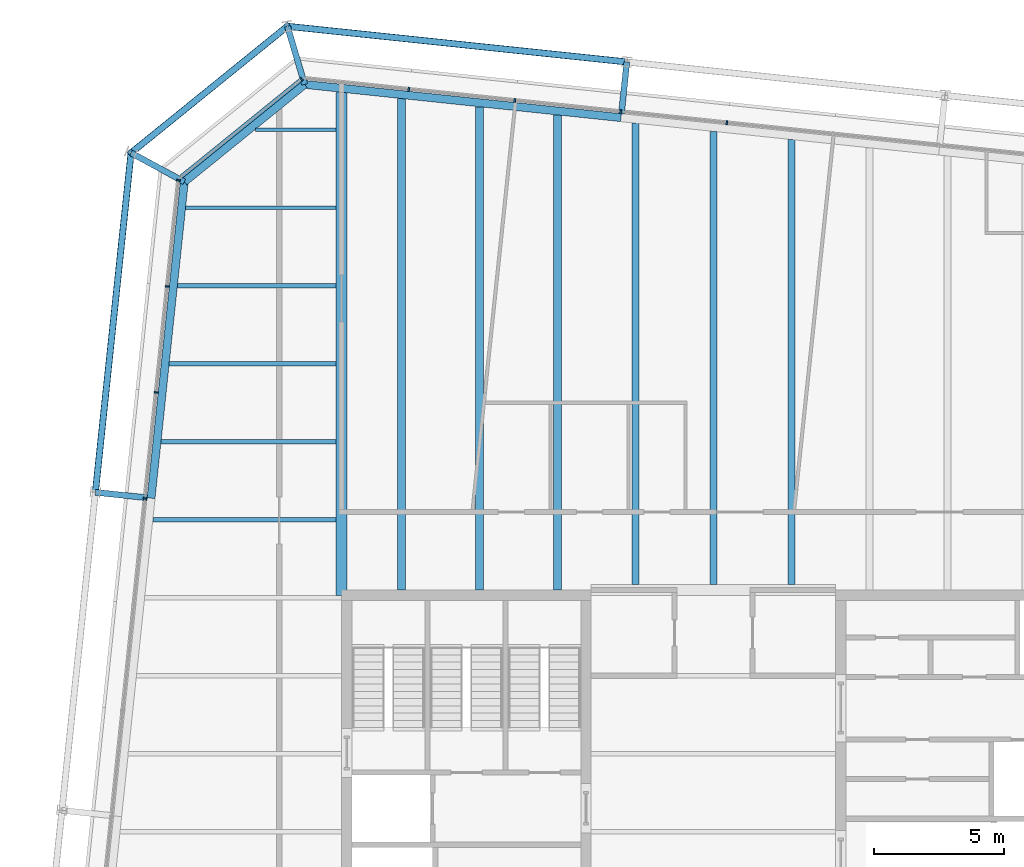
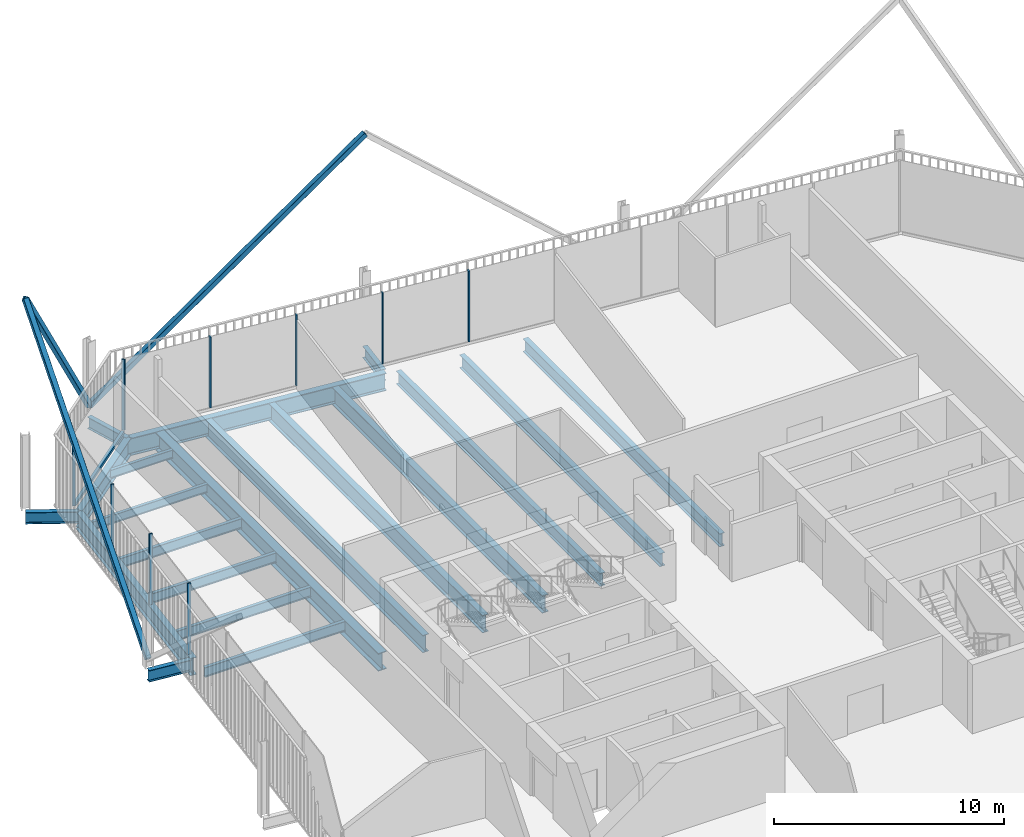
# One storey, part 12 of 21: 20 beams, 13 members, 3 elements without a shape of their own.
"""IFC4 building model written with IfcOpenShell, lengths in metres."""

import ifcopenshell
import ifcopenshell.guid

model = None  # the IFC model being written
_history = None  # IfcOwnerHistory: only IFC2X3 demands one
_inside = {}  # id of a spatial element -> (the spatial element, [elements in it])
_under = {}  # id of a project, library or spatial element -> (it, [spatial elements below it])
_declared = {}  # id of a project -> (the project, [libraries it declares])
_typed = {}  # id of a type object -> (the type object, [elements of that type])
_made_of = {}  # id of a material, layer set ... -> (it, [elements and type objects made of it])


def new_model(schema):
    """Start an empty IFC model of exactly this schema.

    Asked for "IFC4X3", IfcOpenShell would pick the latest addendum, in which some entities
    have other attributes; the version numbers below select the first issue.
    IFC2X3 requires an IfcOwnerHistory on every rooted entity: one is made here for all.
    """
    global model, _history
    if schema == "IFC4X3":
        model = ifcopenshell.file(schema_version=(4, 3, 0, 0))
    else:
        model = ifcopenshell.file(schema=schema)
    _inside.clear()
    _under.clear()
    _declared.clear()
    _typed.clear()
    _made_of.clear()
    _history = None
    if model.schema == "IFC2X3":
        org = make("IfcOrganization", Name="unknown")
        user = make(
            "IfcPersonAndOrganization",
            ThePerson=make("IfcPerson", FamilyName="unknown"),
            TheOrganization=org,
        )
        app = make(
            "IfcApplication",
            ApplicationDeveloper=org,
            Version="unknown",
            ApplicationFullName="unknown",
            ApplicationIdentifier="unknown",
        )
        _history = make(
            "IfcOwnerHistory",
            OwningUser=user,
            OwningApplication=app,
            ChangeAction="ADDED",
            CreationDate=0,
        )
    return model


def make(cls, **values):
    """One entity of the class cls with the attributes given. An attribute that is None is left unset."""
    return model.create_entity(
        cls, **{name: value for name, value in values.items() if value is not None}
    )


def rooted(cls, **values):
    """An entity with a GlobalId (a new one), such as an element, a storey or a relation."""
    return make(cls, GlobalId=ifcopenshell.guid.new(), OwnerHistory=_history, **values)


def si_unit(unit_type, name, prefix=None):
    """IfcSIUnit, for example si_unit("LENGTHUNIT", "METRE", prefix="MILLI")."""
    return make("IfcSIUnit", UnitType=unit_type, Prefix=prefix, Name=name)


def assignment(units):
    """IfcUnitAssignment: the units of a project."""
    return None if units is None else make("IfcUnitAssignment", Units=units)


def point(xyz):
    """IfcCartesianPoint."""
    return None if xyz is None else make("IfcCartesianPoint", Coordinates=xyz)


def direction(xyz):
    """IfcDirection."""
    return None if xyz is None else make("IfcDirection", DirectionRatios=xyz)


def frame(location, z_axis=None, x_axis=None):
    """IfcAxis2Placement3D, a coordinate frame: its origin and axes. An axis left out is left unset."""
    return make(
        "IfcAxis2Placement3D",
        Location=point(location),
        Axis=direction(z_axis),
        RefDirection=direction(x_axis),
    )


def frame_2d(location, x_axis=None):
    """IfcAxis2Placement2D, a coordinate frame in the plane: its origin and x axis."""
    return make(
        "IfcAxis2Placement2D", Location=point(location), RefDirection=direction(x_axis)
    )


def origin():
    """The frame at (0, 0, 0) with its axes left unset."""
    return frame((0.0, 0.0, 0.0))


def origin_2d():
    """The frame at (0, 0) in the plane with its x axis left unset."""
    return frame_2d((0.0, 0.0))


def place(relative_to, where):
    """IfcLocalPlacement: puts the frame where relative to a parent placement (None: the world)."""
    return make(
        "IfcLocalPlacement", PlacementRelTo=relative_to, RelativePlacement=where
    )


def context(
    kind, dimensions, precision=None, world=None, true_north=None, identifier=None
):
    """IfcGeometricRepresentationContext, for example the 3D "Model" context."""
    return make(
        "IfcGeometricRepresentationContext",
        ContextIdentifier=identifier,
        ContextType=kind,
        CoordinateSpaceDimension=dimensions,
        Precision=precision,
        WorldCoordinateSystem=world,
        TrueNorth=true_north,
    )


def subcontext(parent, identifier, kind, view, scale=None):
    """IfcGeometricRepresentationSubContext, for example "Body" below "Model"."""
    return make(
        "IfcGeometricRepresentationSubContext",
        ContextIdentifier=identifier,
        ContextType=kind,
        ParentContext=parent,
        TargetScale=scale,
        TargetView=view,
    )


def project(units=None, contexts=None):
    """IfcProject with its units and contexts."""
    return rooted(
        "IfcProject",
        Name="project",
        RepresentationContexts=contexts,
        UnitsInContext=assignment(units),
    )


def spatial(cls, under=None, at=None, **own):
    """A site, building, storey or space (cls), placed at a placement, below another one or the project."""
    s = rooted(cls, ObjectPlacement=at, **own)
    if under is not None:
        _under.setdefault(under.id(), (under, []))[1].append(s)
    return s


def profile(cls, at=None, kind="AREA", **sizes):
    """A parametric profile (cls). Its sizes go by their IFC names, for example OverallWidth=200.0."""
    return make(cls, ProfileType=kind, Position=at, **sizes)


def rectangle(**sizes):
    """IfcRectangleProfileDef."""
    return profile("IfcRectangleProfileDef", **sizes)


def hollow_rectangle(**sizes):
    """IfcRectangleHollowProfileDef."""
    return profile("IfcRectangleHollowProfileDef", **sizes)


def i_section(**sizes):
    """IfcIShapeProfileDef."""
    return profile("IfcIShapeProfileDef", **sizes)


def extrude(swept, where, along, depth):
    """IfcExtrudedAreaSolid: the profile swept, set in the frame where, extruded along a direction by depth."""
    return make(
        "IfcExtrudedAreaSolid",
        SweptArea=swept,
        Position=where,
        ExtrudedDirection=direction(along),
        Depth=depth,
    )


def shape(context_of_items, identifier, shape_type, items):
    """IfcShapeRepresentation: the items that make up one representation, for example the "Body"."""
    return make(
        "IfcShapeRepresentation",
        ContextOfItems=context_of_items,
        RepresentationIdentifier=identifier,
        RepresentationType=shape_type,
        Items=items,
    )


def material(Name=None, Category=None):
    """IfcMaterial."""
    return make("IfcMaterial", Name=Name, Category=Category)


def layer(
    of_material, thickness, ventilated=None, Name=None, Category=None, Priority=None
):
    """IfcMaterialLayer: one layer of a wall or slab, of a material (None: an air gap)."""
    return make(
        "IfcMaterialLayer",
        Material=of_material,
        LayerThickness=thickness,
        IsVentilated=ventilated,
        Name=Name,
        Category=Category,
        Priority=Priority,
    )


def layer_set(layers, Name=None):
    """IfcMaterialLayerSet."""
    return make("IfcMaterialLayerSet", MaterialLayers=layers, LayerSetName=Name)


def material_profile(
    of_material, cross_section, Name=None, Category=None, Priority=None
):
    """IfcMaterialProfile: a cross section and its material."""
    return make(
        "IfcMaterialProfile",
        Name=Name,
        Material=of_material,
        Profile=cross_section,
        Priority=Priority,
        Category=Category,
    )


def profile_set(profiles, Name=None, composite=None):
    """IfcMaterialProfileSet."""
    return make(
        "IfcMaterialProfileSet",
        Name=Name,
        MaterialProfiles=profiles,
        CompositeProfile=composite,
    )


def made_of(thing, what):
    """Note that an element or type object is made of a material, layer set ...; save() writes the relation."""
    if what is not None:
        _made_of.setdefault(what.id(), (what, []))[1].append(thing)
    return thing


def type_object(cls, material=None, **own):
    """A type object (cls), such as IfcWallType, which elements share."""
    return made_of(rooted(cls, **own), material)


def element(
    cls,
    number,
    at=None,
    inside=None,
    cuts=None,
    type_object=None,
    material=None,
    context=None,
    identifier="Body",
    shape_type=None,
    held_by="IfcProductDefinitionShape",
    body=None,
    shapes=None,
    **own,
):
    """One element of the class cls, such as IfcWall. Its Tag is "e" and its number.

    at: its placement. inside: the storey or other place that contains it. cuts: it is an
    opening in that element (IfcRelVoidsElement). A single representation is given by context,
    identifier, shape_type and body (its items); several are given by shapes. held_by: the class
    of the entity that holds the representations. save() writes the other relations.
    """
    e = rooted(cls, Tag="e%d" % number, ObjectPlacement=at, **own)
    if body is not None:
        shapes = [shape(context, identifier, shape_type, body)]
    if shapes is not None:
        e.Representation = make(held_by, Representations=shapes)
    if inside is not None:
        _inside.setdefault(inside.id(), (inside, []))[1].append(e)
    if cuts is not None:
        rooted(
            "IfcRelVoidsElement", RelatingBuildingElement=cuts, RelatedOpeningElement=e
        )
    if type_object is not None:
        _typed.setdefault(type_object.id(), (type_object, []))[1].append(e)
    return made_of(e, material)


def aggregate(whole, parts):
    """IfcRelAggregates: a whole, such as a stair, and the parts it consists of."""
    return rooted("IfcRelAggregates", RelatingObject=whole, RelatedObjects=parts)


def save(model, path):
    """Write the relations noted so far, then the file.

    IfcRelAggregates (storeys below a building ...), IfcRelContainedInSpatialStructure (elements
    in a storey), IfcRelDefinesByType, IfcRelAssociatesMaterial and IfcRelDeclares: one each for
    every whole, place, type object, material and project.
    """
    for whole, parts in _under.values():
        aggregate(whole, parts)
    for where, things in _inside.values():
        rooted(
            "IfcRelContainedInSpatialStructure",
            RelatedElements=things,
            RelatingStructure=where,
        )
    for kind, things in _typed.values():
        rooted("IfcRelDefinesByType", RelatedObjects=things, RelatingType=kind)
    for what, things in _made_of.values():
        rooted("IfcRelAssociatesMaterial", RelatedObjects=things, RelatingMaterial=what)
    for by, libraries in _declared.values():
        rooted("IfcRelDeclares", RelatingContext=by, RelatedDefinitions=libraries)
    model.write(path)


model = new_model("IFC4")

# Units and contexts
model_context = context("Model", 3, precision=1e-05, world=origin(), true_north=direction((0.0, 1.0)))
body_context = subcontext(model_context, "Body", "Model", "MODEL_VIEW")
ifc_project = project(units=[si_unit("LENGTHUNIT", "METRE"), si_unit("AREAUNIT", "SQUARE_METRE"), si_unit("VOLUMEUNIT", "CUBIC_METRE"), si_unit("PLANEANGLEUNIT", "RADIAN"), si_unit("MASSUNIT", "GRAM", prefix="KILO")], contexts=[model_context])

# Site, building, storey
site_placement = place(None, origin())
site = spatial("IfcSite", under=ifc_project, at=site_placement, CompositionType="ELEMENT")
building_placement = place(site_placement, origin())
building = spatial("IfcBuilding", under=site, at=building_placement, Name="Millrace Tower", CompositionType="ELEMENT")
storey_placement = place(building_placement, frame((0.0, 0.0, 307.199951171875)))
storey = spatial("IfcBuildingStorey", under=building, at=storey_placement, Name="L71", CompositionType="ELEMENT", Elevation=307.199951171875)

# Curtain wall, members
ifc_material_1 = material(Name="Aluminium and glass", Category="aluminium")
ifc_layer = layer(ifc_material_1, 0.14990234375)
ifc_layer_set = layer_set([ifc_layer], Name="Aluminium and glass")
curtain_wall_type = type_object("IfcCurtainWallType", Name="CW-1 office vision curtain wall", PredefinedType="NOTDEFINED", material=ifc_layer_set)
placement = place(storey_placement, origin())
curtain_wall_1 = element("IfcCurtainWall", 1, at=placement, inside=storey, type_object=curtain_wall_type, Name="Curtain wall E-F06 L71", PredefinedType="NOTDEFINED")
ifc_material_2 = material(Name="Aluminium", Category="aluminium")
ifc_material_profile_1 = material_profile(ifc_material_2, rectangle(XDim=0.06494140625, YDim=0.14990234375, at=origin_2d()))
ifc_profile_set_1 = profile_set([ifc_material_profile_1], Name="Aluminium")
member_type_1 = type_object("IfcMemberType", Name="CW-1 office vision curtain wall mullion", PredefinedType="MULLION", material=ifc_profile_set_1)
member_1_placement = place(storey_placement, frame((0.514892578125, 27.267578125, 0.14013671875), z_axis=(0.0, 0.0, 1.0), x_axis=(-0.994521896217, 0.104528455196, 0.0)))
member_1 = element("IfcMember", 2, at=member_1_placement, type_object=member_type_1, Name="CW1 mullion E-F06.6", PredefinedType="MULLION", context=body_context, shape_type="SweptSolid", body=[
    extrude(rectangle(XDim=0.06494140625, YDim=0.14990234375, at=origin_2d()), origin(), (0.0, 0.0, 1.0), 3.760009765625),
])
member_2_placement = place(storey_placement, frame((-3.562744140625, 27.6962890625, 0.14013671875), z_axis=(0.0, 0.0, 1.0), x_axis=(-0.994521896217, 0.104528455196, 0.0)))
member_2 = element("IfcMember", 3, at=member_2_placement, type_object=member_type_1, Name="CW1 mullion E-F06.7", PredefinedType="MULLION", context=body_context, shape_type="SweptSolid", body=[
    extrude(rectangle(XDim=0.06494140625, YDim=0.14990234375, at=origin_2d()), origin(), (0.0, 0.0, 1.0), 3.760009765625),
])
member_3_placement = place(storey_placement, frame((-7.640380859375, 28.124755859375, 0.14013671875), z_axis=(0.0, 0.0, 1.0), x_axis=(-0.994521896217, 0.104528455196, 0.0)))
member_3 = element("IfcMember", 4, at=member_3_placement, type_object=member_type_1, Name="CW1 mullion E-F06.8", PredefinedType="MULLION", context=body_context, shape_type="SweptSolid", body=[
    extrude(rectangle(XDim=0.06494140625, YDim=0.14990234375, at=origin_2d()), origin(), (0.0, 0.0, 1.0), 3.760009765625),
])
member_4_placement = place(storey_placement, frame((-11.7177734375, 28.55322265625, 0.14013671875), z_axis=(0.0, 0.0, 1.0), x_axis=(-0.994521896217, 0.104528455196, 0.0)))
member_4 = element("IfcMember", 5, at=member_4_placement, type_object=member_type_1, Name="CW1 mullion E-F06.9", PredefinedType="MULLION", context=body_context, shape_type="SweptSolid", body=[
    extrude(rectangle(XDim=0.06494140625, YDim=0.14990234375, at=origin_2d()), origin(), (0.0, 0.0, 1.0), 3.760009765625),
])
aggregate(curtain_wall_1, [member_1, member_2, member_3, member_4])

# Curtain wall, member
curtain_wall_2 = element("IfcCurtainWall", 6, at=placement, inside=storey, type_object=curtain_wall_type, Name="Curtain wall E-F07 L71", PredefinedType="NOTDEFINED")
member_5_placement = place(storey_placement, frame((-15.84326171875, 28.941650390625, 0.14013671875), z_axis=(0.0, 0.0, 1.0), x_axis=(-0.777146052237, -0.629320278945, 0.0)))
member_5 = element("IfcMember", 7, at=member_5_placement, type_object=member_type_1, Name="CW1 mullion E-F07.1", PredefinedType="MULLION", context=body_context, shape_type="SweptSolid", body=[
    extrude(rectangle(XDim=0.06494140625, YDim=0.14990234375, at=origin_2d()), origin(), (0.0, 0.0, 1.0), 3.760009765625),
])

# Curtain wall, members
curtain_wall_3 = element("IfcCurtainWall", 8, at=placement, inside=storey, type_object=curtain_wall_type, Name="Curtain wall E-F08 L71", PredefinedType="NOTDEFINED")
member_6_placement = place(storey_placement, frame((-20.57470703125, 25.052490234375, 0.14013671875), z_axis=(0.0, 0.0, 1.0), x_axis=(-0.104528455196, -0.994521896217, 0.0)))
member_6 = element("IfcMember", 9, at=member_6_placement, type_object=member_type_1, Name="CW1 mullion E-F08.1", PredefinedType="MULLION", context=body_context, shape_type="SweptSolid", body=[
    extrude(rectangle(XDim=0.06494140625, YDim=0.14990234375, at=origin_2d()), origin(), (0.0, 0.0, 1.0), 3.760009765625),
])
member_7_placement = place(storey_placement, frame((-21.00341796875, 20.974853515625, 0.14013671875), z_axis=(0.0, 0.0, 1.0), x_axis=(-0.104528455196, -0.994521896217, 0.0)))
member_7 = element("IfcMember", 10, at=member_7_placement, type_object=member_type_1, Name="CW1 mullion E-F08.2", PredefinedType="MULLION", context=body_context, shape_type="SweptSolid", body=[
    extrude(rectangle(XDim=0.06494140625, YDim=0.14990234375, at=origin_2d()), origin(), (0.0, 0.0, 1.0), 3.760009765625),
])
member_8_placement = place(storey_placement, frame((-21.431884765625, 16.8974609375, 0.14013671875), z_axis=(0.0, 0.0, 1.0), x_axis=(-0.104528455196, -0.994521896217, 0.0)))
member_8 = element("IfcMember", 11, at=member_8_placement, type_object=member_type_1, Name="CW1 mullion E-F08.3", PredefinedType="MULLION", context=body_context, shape_type="SweptSolid", body=[
    extrude(rectangle(XDim=0.06494140625, YDim=0.14990234375, at=origin_2d()), origin(), (0.0, 0.0, 1.0), 3.760009765625),
])
member_9_placement = place(storey_placement, frame((-21.860595703125, 12.81982421875, 0.14013671875), z_axis=(0.0, 0.0, 1.0), x_axis=(-0.104528455196, -0.994521896217, 0.0)))
member_9 = element("IfcMember", 12, at=member_9_placement, type_object=member_type_1, Name="CW1 mullion E-F08.4", PredefinedType="MULLION", context=body_context, shape_type="SweptSolid", body=[
    extrude(rectangle(XDim=0.06494140625, YDim=0.14990234375, at=origin_2d()), origin(), (0.0, 0.0, 1.0), 3.760009765625),
])
aggregate(curtain_wall_3, [member_6, member_7, member_8, member_9])

# Member
ifc_material_3 = material(Name="Aluminium", Category="aluminium")
ifc_material_profile_2 = material_profile(ifc_material_3, rectangle(XDim=0.14990234375, YDim=0.139892578125, at=origin_2d()))
ifc_profile_set_2 = profile_set([ifc_material_profile_2], Name="Aluminium")
member_type_2 = type_object("IfcMemberType", Name="CW-1 office vision curtain wall transom", PredefinedType="USERDEFINED", material=ifc_profile_set_2)
member_10_placement = place(storey_placement, frame((-15.895751953125, 28.899169921875, 0.070068359375), z_axis=(-0.777165591695, -0.629296148951, 0.0), x_axis=(0.629296148951, -0.777165591695, 0.0)))
member_10 = element("IfcMember", 13, at=member_10_placement, type_object=member_type_2, Name="CW1 transom E-F07.1", ObjectType="TRANSOM", PredefinedType="USERDEFINED", context=body_context, shape_type="SweptSolid", body=[
    extrude(rectangle(XDim=0.14990234375, YDim=0.139892578125, at=origin_2d()), origin(), (0.0, 0.0, 1.0), 5.881103515625),
])

aggregate(curtain_wall_2, [member_5, member_10])

# Members
ifc_material_4 = material(Name="Steel ASTM A500 Grade C", Category="steel")
ifc_material_profile_3 = material_profile(ifc_material_4, hollow_rectangle(XDim=0.25390625, YDim=0.25390625, WallThickness=0.009521484375, InnerFilletRadius=0.004638671875, OuterFilletRadius=0.014404296875, at=origin_2d()))
ifc_profile_set_3 = profile_set([ifc_material_profile_3], Name="Steel ASTM A500 Grade C")
member_type_3 = type_object("IfcMemberType", Name="Exoskeleton brace HSS10x10x3/8", PredefinedType="BRACE", material=ifc_profile_set_3)
member_11_placement = place(storey_placement, frame((-16.3857421875, 30.9794921875, 0.400146484375), z_axis=(0.770907361192, -0.081027511308, 0.631772413825), x_axis=(0.104530865473, 0.994521642883, 0.0)))
element("IfcMember", 14, at=member_11_placement, inside=storey, type_object=member_type_3, Name="BRC-E-L71-12", PredefinedType="BRACE", context=body_context, shape_type="SweptSolid", body=[
    extrude(hollow_rectangle(XDim=0.25390625, YDim=0.25390625, WallThickness=0.009521484375, InnerFilletRadius=0.004638671875, OuterFilletRadius=0.014404296875, at=origin_2d()), origin(), (0.0, 0.0, 1.0), 16.936279296875),
])
member_12_placement = place(storey_placement, frame((-16.3857421875, 30.9794921875, 0.400146484375), z_axis=(-0.455401272853, -0.368780552487, 0.810315114503), x_axis=(0.62932438279, -0.777142728993, 0.0)))
element("IfcMember", 15, at=member_12_placement, inside=storey, type_object=member_type_3, Name="BRC-E-L71-13", PredefinedType="BRACE", context=body_context, shape_type="SweptSolid", body=[
    extrude(hollow_rectangle(XDim=0.25390625, YDim=0.25390625, WallThickness=0.009521484375, InnerFilletRadius=0.004638671875, OuterFilletRadius=0.014404296875, at=origin_2d()), origin(), (0.0, 0.0, 1.0), 13.20458984375),
])
member_13_placement = place(storey_placement, frame((-23.771484375, 13.053466796875, 0.400146484375), z_axis=(0.081027511308, 0.770907361192, 0.631772413825), x_axis=(-0.994521642883, 0.104530865473, 0.0)))
element("IfcMember", 16, at=member_13_placement, inside=storey, type_object=member_type_3, Name="BRC-E-L71-14", PredefinedType="BRACE", context=body_context, shape_type="SweptSolid", body=[
    extrude(hollow_rectangle(XDim=0.25390625, YDim=0.25390625, WallThickness=0.009521484375, InnerFilletRadius=0.004638671875, OuterFilletRadius=0.014404296875, at=origin_2d()), origin(), (0.0, 0.0, 1.0), 16.936279296875),
])

# Beams
ifc_material_5 = material(Name="Steel ASTM A992 Grade 50", Category="steel")
ifc_material_profile_4 = material_profile(ifc_material_5, i_section(OverallWidth=0.15234375, OverallDepth=0.449462890625, WebThickness=0.007568359375, FlangeThickness=0.0107421875, FilletRadius=0.01025390625, at=origin_2d()))
ifc_profile_set_4 = profile_set([ifc_material_profile_4], Name="Steel ASTM A992 Grade 50")
beam_type_1 = type_object("IfcBeamType", Name="Floor beam W18x35", PredefinedType="JOIST", material=ifc_profile_set_4)
beam_1_placement = place(storey_placement, frame((-20.301025390625, 24.0, -0.384765625), z_axis=(1.0, 0.0, 0.0), x_axis=(0.0, 1.0, 0.0)))
element("IfcBeam", 17, at=beam_1_placement, inside=storey, type_object=beam_type_1, Name="BM-E-L71-S1-S033", PredefinedType="JOIST", context=body_context, shape_type="SweptSolid", body=[
    extrude(i_section(OverallWidth=0.15234375, OverallDepth=0.449462890625, WebThickness=0.007568359375, FlangeThickness=0.0107421875, FilletRadius=0.01025390625, at=origin_2d()), origin(), (0.0, 0.0, 1.0), 5.79150390625),
])
beam_2_placement = place(storey_placement, frame((-17.609619140625, 27.0, -0.384765625), z_axis=(1.0, 0.0, 0.0), x_axis=(0.0, 1.0, 0.0)))
element("IfcBeam", 18, at=beam_2_placement, inside=storey, type_object=beam_type_1, Name="BM-E-L71-S1-S035", PredefinedType="JOIST", context=body_context, shape_type="SweptSolid", body=[
    extrude(i_section(OverallWidth=0.15234375, OverallDepth=0.449462890625, WebThickness=0.007568359375, FlangeThickness=0.0107421875, FilletRadius=0.01025390625, at=origin_2d()), origin(), (0.0, 0.0, 1.0), 3.10009765625),
])
ifc_material_6 = material(Name="Steel ASTM A992 Grade 50", Category="steel")
ifc_material_profile_5 = material_profile(ifc_material_6, i_section(OverallWidth=0.1650390625, OverallDepth=0.52587890625, WebThickness=0.0087890625, FlangeThickness=0.011474609375, FilletRadius=0.0126953125, at=origin_2d()))
ifc_profile_set_5 = profile_set([ifc_material_profile_5], Name="Steel ASTM A992 Grade 50")
beam_type_2 = type_object("IfcBeamType", Name="Floor beam W21x44", PredefinedType="JOIST", material=ifc_profile_set_5)
beam_3_placement = place(storey_placement, frame((-21.562255859375, 12.0, -0.4228515625), z_axis=(1.0, 0.0, 0.0), x_axis=(0.0, 1.0, 0.0)))
element("IfcBeam", 19, at=beam_3_placement, inside=storey, type_object=beam_type_2, Name="BM-E-L71-S1-S025", PredefinedType="JOIST", context=body_context, shape_type="SweptSolid", body=[
    extrude(i_section(OverallWidth=0.1650390625, OverallDepth=0.52587890625, WebThickness=0.0087890625, FlangeThickness=0.011474609375, FilletRadius=0.0126953125, at=origin_2d()), origin(), (0.0, 0.0, 1.0), 7.052734375),
])
beam_4_placement = place(storey_placement, frame((-21.246826171875, 15.0, -0.4228515625), z_axis=(1.0, 0.0, 0.0), x_axis=(0.0, 1.0, 0.0)))
element("IfcBeam", 20, at=beam_4_placement, inside=storey, type_object=beam_type_2, Name="BM-E-L71-S1-S027", PredefinedType="JOIST", context=body_context, shape_type="SweptSolid", body=[
    extrude(i_section(OverallWidth=0.1650390625, OverallDepth=0.52587890625, WebThickness=0.0087890625, FlangeThickness=0.011474609375, FilletRadius=0.0126953125, at=origin_2d()), origin(), (0.0, 0.0, 1.0), 6.7373046875),
])
beam_5_placement = place(storey_placement, frame((-20.931640625, 18.0, -0.4228515625), z_axis=(1.0, 0.0, 0.0), x_axis=(0.0, 1.0, 0.0)))
element("IfcBeam", 21, at=beam_5_placement, inside=storey, type_object=beam_type_2, Name="BM-E-L71-S1-S029", PredefinedType="JOIST", context=body_context, shape_type="SweptSolid", body=[
    extrude(i_section(OverallWidth=0.1650390625, OverallDepth=0.52587890625, WebThickness=0.0087890625, FlangeThickness=0.011474609375, FilletRadius=0.0126953125, at=origin_2d()), origin(), (0.0, 0.0, 1.0), 6.422119140625),
])
beam_6_placement = place(storey_placement, frame((-20.6162109375, 21.0, -0.4228515625), z_axis=(1.0, 0.0, 0.0), x_axis=(0.0, 1.0, 0.0)))
element("IfcBeam", 22, at=beam_6_placement, inside=storey, type_object=beam_type_2, Name="BM-E-L71-S1-S031", PredefinedType="JOIST", context=body_context, shape_type="SweptSolid", body=[
    extrude(i_section(OverallWidth=0.1650390625, OverallDepth=0.52587890625, WebThickness=0.0087890625, FlangeThickness=0.011474609375, FilletRadius=0.0126953125, at=origin_2d()), origin(), (0.0, 0.0, 1.0), 6.106689453125),
])
ifc_material_7 = material(Name="Steel ASTM A992 Grade 50", Category="steel")
ifc_material_profile_6 = material_profile(ifc_material_7, i_section(OverallWidth=0.256591796875, OverallDepth=0.693359375, WebThickness=0.014404296875, FlangeThickness=0.023681640625, FilletRadius=0.01513671875, at=origin_2d()))
ifc_profile_set_6 = profile_set([ifc_material_profile_6], Name="Steel ASTM A992 Grade 50")
beam_type_3 = type_object("IfcBeamType", Name="Floor beam W27x114", PredefinedType="JOIST", material=ifc_profile_set_6)
beam_7_placement = place(storey_placement, frame((-3.0, 9.509521484375, -0.506591796875), z_axis=(0.0, 1.0, 0.0), x_axis=(-1.0, 0.0, 0.0)))
element("IfcBeam", 23, at=beam_7_placement, inside=storey, type_object=beam_type_3, Name="BM-E-L71-S1-S042", PredefinedType="JOIST", context=body_context, shape_type="SweptSolid", body=[
    extrude(i_section(OverallWidth=0.256591796875, OverallDepth=0.693359375, WebThickness=0.014404296875, FlangeThickness=0.023681640625, FilletRadius=0.01513671875, at=origin_2d()), origin(), (0.0, 0.0, 1.0), 17.7431640625),
])
beam_8_placement = place(storey_placement, frame((0.0, 9.509521484375, -0.506591796875), z_axis=(0.0, 1.0, 0.0), x_axis=(-1.0, 0.0, 0.0)))
element("IfcBeam", 24, at=beam_8_placement, inside=storey, type_object=beam_type_3, Name="BM-E-L71-S1-S044", PredefinedType="JOIST", context=body_context, shape_type="SweptSolid", body=[
    extrude(i_section(OverallWidth=0.256591796875, OverallDepth=0.693359375, WebThickness=0.014404296875, FlangeThickness=0.023681640625, FilletRadius=0.01513671875, at=origin_2d()), origin(), (0.0, 0.0, 1.0), 17.427734375),
])
beam_9_placement = place(storey_placement, frame((3.0, 9.509521484375, -0.506591796875), z_axis=(0.0, 1.0, 0.0), x_axis=(-1.0, 0.0, 0.0)))
element("IfcBeam", 25, at=beam_9_placement, inside=storey, type_object=beam_type_3, Name="BM-E-L71-S1-S046", PredefinedType="JOIST", context=body_context, shape_type="SweptSolid", body=[
    extrude(i_section(OverallWidth=0.256591796875, OverallDepth=0.693359375, WebThickness=0.014404296875, FlangeThickness=0.023681640625, FilletRadius=0.01513671875, at=origin_2d()), origin(), (0.0, 0.0, 1.0), 17.112548828125),
])
ifc_material_8 = material(Name="Steel ASTM A992 Grade 50", Category="steel")
ifc_material_profile_7 = material_profile(ifc_material_8, i_section(OverallWidth=0.307373046875, OverallDepth=0.927001953125, WebThickness=0.01953125, FlangeThickness=0.031982421875, FilletRadius=0.01904296875, at=origin_2d()))
ifc_profile_set_7 = profile_set([ifc_material_profile_7], Name="Steel ASTM A992 Grade 50")
beam_type_4 = type_object("IfcBeamType", Name="Floor beam W36x194", PredefinedType="JOIST", material=ifc_profile_set_7)
beam_10_placement = place(storey_placement, frame((-12.0, 9.300048828125, -0.62353515625), z_axis=(0.0, 1.0, 0.0), x_axis=(-1.0, 0.0, 0.0)))
element("IfcBeam", 26, at=beam_10_placement, inside=storey, type_object=beam_type_4, Name="BM-E-L71-S1-S036", PredefinedType="JOIST", context=body_context, shape_type="SweptSolid", body=[
    extrude(i_section(OverallWidth=0.307373046875, OverallDepth=0.927001953125, WebThickness=0.01953125, FlangeThickness=0.031982421875, FilletRadius=0.01904296875, at=origin_2d()), origin(), (0.0, 0.0, 1.0), 18.8984375),
])
beam_11_placement = place(storey_placement, frame((-9.0, 9.300048828125, -0.62353515625), z_axis=(0.0, 1.0, 0.0), x_axis=(-1.0, 0.0, 0.0)))
element("IfcBeam", 27, at=beam_11_placement, inside=storey, type_object=beam_type_4, Name="BM-E-L71-S1-S038", PredefinedType="JOIST", context=body_context, shape_type="SweptSolid", body=[
    extrude(i_section(OverallWidth=0.307373046875, OverallDepth=0.927001953125, WebThickness=0.01953125, FlangeThickness=0.031982421875, FilletRadius=0.01904296875, at=origin_2d()), origin(), (0.0, 0.0, 1.0), 18.583251953125),
])
beam_12_placement = place(storey_placement, frame((-6.0, 9.300048828125, -0.62353515625), z_axis=(0.0, 1.0, 0.0), x_axis=(-1.0, 0.0, 0.0)))
element("IfcBeam", 28, at=beam_12_placement, inside=storey, type_object=beam_type_4, Name="BM-E-L71-S1-S040", PredefinedType="JOIST", context=body_context, shape_type="SweptSolid", body=[
    extrude(i_section(OverallWidth=0.307373046875, OverallDepth=0.927001953125, WebThickness=0.01953125, FlangeThickness=0.031982421875, FilletRadius=0.01904296875, at=origin_2d()), origin(), (0.0, 0.0, 1.0), 18.267822265625),
])
ifc_material_9 = material(Name="Steel ASTM A992 Grade 50", Category="steel")
ifc_material_profile_8 = material_profile(ifc_material_9, i_section(OverallWidth=0.424072265625, OverallDepth=0.947509765625, WebThickness=0.02392578125, FlangeThickness=0.042724609375, FilletRadius=0.024169921875, at=origin_2d()))
ifc_profile_set_8 = profile_set([ifc_material_profile_8], Name="Steel ASTM A992 Grade 50")
beam_type_5 = type_object("IfcBeamType", Name="Girder medium span W36x302", PredefinedType="BEAM", material=ifc_profile_set_8)
beam_13_placement = place(storey_placement, frame((-14.300048828125, 9.083984375, -0.633544921875), z_axis=(0.0, 1.0, 0.0), x_axis=(-1.0, 0.0, 0.0)))
element("IfcBeam", 29, at=beam_13_placement, inside=storey, type_object=beam_type_5, Name="BM-E-L71-S1-G054", PredefinedType="BEAM", context=body_context, shape_type="SweptSolid", body=[
    extrude(i_section(OverallWidth=0.424072265625, OverallDepth=0.947509765625, WebThickness=0.02392578125, FlangeThickness=0.042724609375, FilletRadius=0.024169921875, at=origin_2d()), origin(), (0.0, 0.0, 1.0), 19.356201171875),
])
ifc_material_10 = material(Name="Steel ASTM A992 Grade 50", Category="steel")
ifc_material_profile_9 = material_profile(ifc_material_10, i_section(OverallWidth=0.23046875, OverallDepth=0.6171875, WebThickness=0.01318359375, FlangeThickness=0.022216796875, FilletRadius=0.012939453125, at=origin_2d()))
ifc_profile_set_9 = profile_set([ifc_material_profile_9], Name="Steel ASTM A992 Grade 50")
beam_type_6 = type_object("IfcBeamType", Name="Link beam W24x94", PredefinedType="BEAM", material=ifc_profile_set_9)
beam_14_placement = place(storey_placement, frame((-21.782470703125, 12.84423828125, -0.468505859375), z_axis=(-0.994512808172, 0.104614886044, 0.0), x_axis=(-0.104614886044, -0.994512808172, 0.0)))
element("IfcBeam", 30, at=beam_14_placement, inside=storey, type_object=beam_type_6, Name="LNK-E-L71-S1-03", PredefinedType="BEAM", context=body_context, shape_type="SweptSolid", body=[
    extrude(i_section(OverallWidth=0.23046875, OverallDepth=0.6171875, WebThickness=0.01318359375, FlangeThickness=0.022216796875, FilletRadius=0.012939453125, at=origin_2d()), origin(), (0.0, 0.0, 1.0), 2.0),
])
for number, where, z_axis, x_axis, name in (
    (31, (-20.3505859375, 24.99755859375, -0.468505859375), (-0.87881453358, 0.477163510307, 0.0), (-0.477163510307, -0.87881453358, 0.0), "LNK-E-L71-S1-04"),
    (32, (-15.7236328125, 28.744384765625, -0.468505859375), (-0.284031275065, 0.958815015936, 0.0), (-0.958815015936, -0.284031275065, 0.0), "LNK-E-L71-S1-05"),
):
    element("IfcBeam", number, at=place(storey_placement, frame(where, z_axis=z_axis, x_axis=x_axis)), inside=storey, type_object=beam_type_6, Name=name, PredefinedType="BEAM", context=body_context, shape_type="SweptSolid", body=[
        extrude(i_section(OverallWidth=0.23046875, OverallDepth=0.6171875, WebThickness=0.01318359375, FlangeThickness=0.022216796875, FilletRadius=0.012939453125, at=origin_2d()), origin(), (0.0, 0.0, 1.0), 2.3310546875),
    ])
beam_15_placement = place(storey_placement, frame((-3.538330078125, 27.6181640625, -0.468505859375), z_axis=(0.104494148666, 0.99452550138, 0.0), x_axis=(-0.99452550138, 0.104494148666, 0.0)))
element("IfcBeam", 33, at=beam_15_placement, inside=storey, type_object=beam_type_6, Name="LNK-E-L71-S1-06", PredefinedType="BEAM", context=body_context, shape_type="SweptSolid", body=[
    extrude(i_section(OverallWidth=0.23046875, OverallDepth=0.6171875, WebThickness=0.01318359375, FlangeThickness=0.022216796875, FilletRadius=0.012939453125, at=origin_2d()), origin(), (0.0, 0.0, 1.0), 2.0),
])
ifc_material_11 = material(Name="Steel ASTM A992 Grade 50", Category="steel")
ifc_material_profile_10 = material_profile(ifc_material_11, i_section(OverallWidth=0.307373046875, OverallDepth=0.927001953125, WebThickness=0.01953125, FlangeThickness=0.031982421875, FilletRadius=0.01904296875, at=origin_2d()))
ifc_profile_set_10 = profile_set([ifc_material_profile_10], Name="Steel ASTM A992 Grade 50")
beam_type_7 = type_object("IfcBeamType", Name="Ring beam medium span W36x194", PredefinedType="SPANDREL", material=ifc_profile_set_10)
for number, where, z_axis, x_axis, name in (
    (34, (-21.629638671875, 12.828369140625, -0.62353515625), (0.104530030035, 0.994521730693, 0.0), (-0.994521730693, 0.104530030035, 0.0), "RNG-E-L71-S1-03"),
    (35, (-15.7236328125, 28.744384765625, -0.62353515625), (0.994521730693, -0.104530030035, 0.0), (0.104530030035, 0.994521730693, 0.0), "RNG-E-L71-S1-05"),
):
    element("IfcBeam", number, at=place(storey_placement, frame(where, z_axis=z_axis, x_axis=x_axis)), inside=storey, type_object=beam_type_7, Name=name, PredefinedType="SPANDREL", context=body_context, shape_type="SweptSolid", body=[
        extrude(i_section(OverallWidth=0.307373046875, OverallDepth=0.927001953125, WebThickness=0.01953125, FlangeThickness=0.031982421875, FilletRadius=0.01904296875, at=origin_2d()), origin(), (0.0, 0.0, 1.0), 12.236328125),
    ])
ifc_material_12 = material(Name="Steel ASTM A992 Grade 50", Category="steel")
ifc_material_profile_11 = material_profile(ifc_material_12, i_section(OverallWidth=0.307373046875, OverallDepth=0.927001953125, WebThickness=0.01953125, FlangeThickness=0.031982421875, FilletRadius=0.01904296875, at=origin_2d()))
ifc_profile_set_11 = profile_set([ifc_material_profile_11], Name="Steel ASTM A992 Grade 50")
beam_type_8 = type_object("IfcBeamType", Name="Ring beam short span W36x194", PredefinedType="SPANDREL", material=ifc_profile_set_11)
beam_16_placement = place(storey_placement, frame((-20.3505859375, 24.99755859375, -0.62353515625), z_axis=(0.777146502883, 0.629319722443, 0.0), x_axis=(-0.629319722443, 0.777146502883, 0.0)))
element("IfcBeam", 36, at=beam_16_placement, inside=storey, type_object=beam_type_8, Name="RNG-E-L71-S1-04", PredefinedType="SPANDREL", context=body_context, shape_type="SweptSolid", body=[
    extrude(i_section(OverallWidth=0.307373046875, OverallDepth=0.927001953125, WebThickness=0.01953125, FlangeThickness=0.031982421875, FilletRadius=0.01904296875, at=origin_2d()), origin(), (0.0, 0.0, 1.0), 5.953857421875),
])

save(model, "model.ifc")
